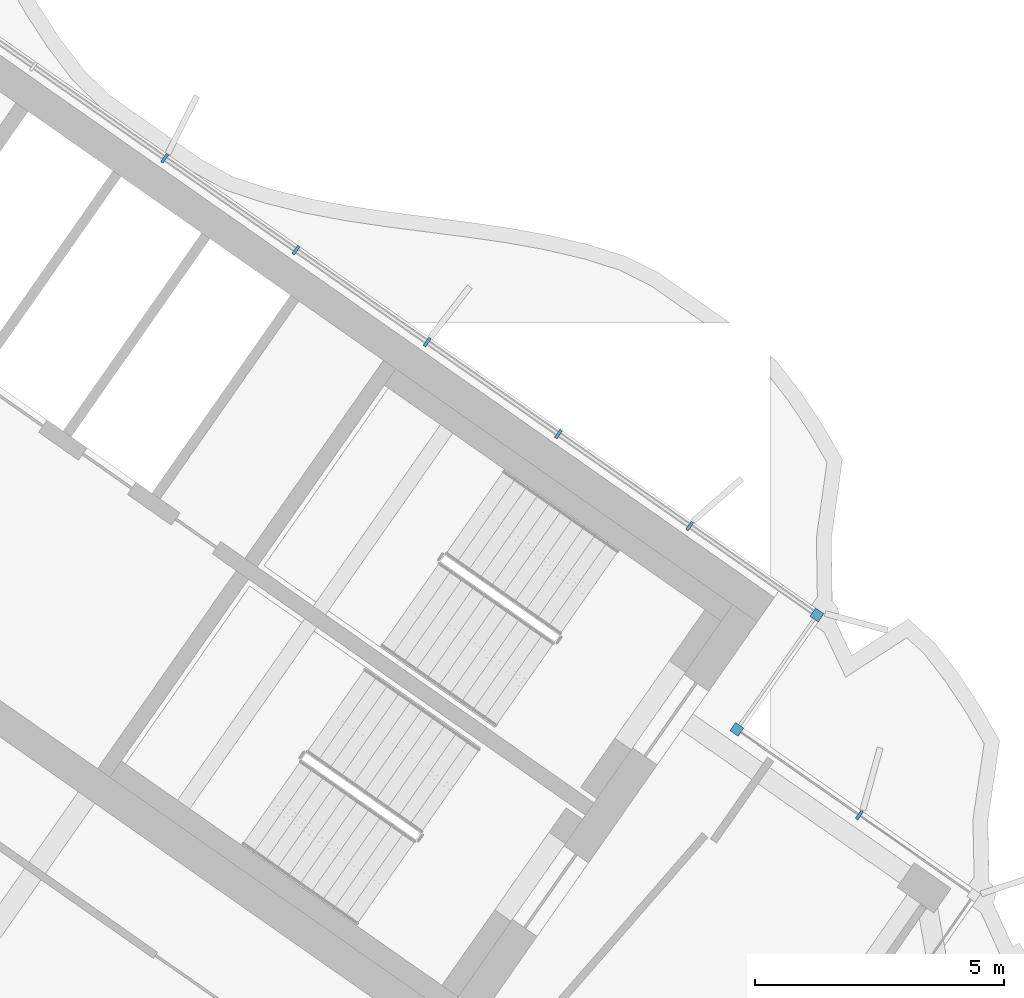
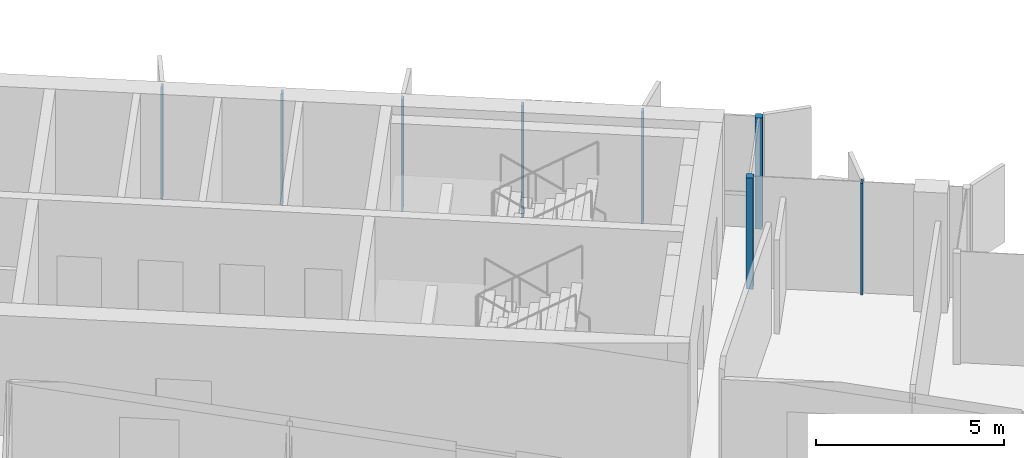
# One storey, part 6 of 20: 8 members, 2 elements without a shape of their own.
"""IFC4 building model written with IfcOpenShell, lengths in metres."""

import ifcopenshell
import ifcopenshell.guid

model = None  # the IFC model being written
_history = None  # IfcOwnerHistory: only IFC2X3 demands one
_inside = {}  # id of a spatial element -> (the spatial element, [elements in it])
_under = {}  # id of a project, library or spatial element -> (it, [spatial elements below it])
_declared = {}  # id of a project -> (the project, [libraries it declares])
_typed = {}  # id of a type object -> (the type object, [elements of that type])
_made_of = {}  # id of a material, layer set ... -> (it, [elements and type objects made of it])


def new_model(schema):
    """Start an empty IFC model of exactly this schema.

    Asked for "IFC4X3", IfcOpenShell would pick the latest addendum, in which some entities
    have other attributes; the version numbers below select the first issue.
    IFC2X3 requires an IfcOwnerHistory on every rooted entity: one is made here for all.
    """
    global model, _history
    if schema == "IFC4X3":
        model = ifcopenshell.file(schema_version=(4, 3, 0, 0))
    else:
        model = ifcopenshell.file(schema=schema)
    _inside.clear()
    _under.clear()
    _declared.clear()
    _typed.clear()
    _made_of.clear()
    _history = None
    if model.schema == "IFC2X3":
        org = make("IfcOrganization", Name="unknown")
        user = make(
            "IfcPersonAndOrganization",
            ThePerson=make("IfcPerson", FamilyName="unknown"),
            TheOrganization=org,
        )
        app = make(
            "IfcApplication",
            ApplicationDeveloper=org,
            Version="unknown",
            ApplicationFullName="unknown",
            ApplicationIdentifier="unknown",
        )
        _history = make(
            "IfcOwnerHistory",
            OwningUser=user,
            OwningApplication=app,
            ChangeAction="ADDED",
            CreationDate=0,
        )
    return model


def make(cls, **values):
    """One entity of the class cls with the attributes given. An attribute that is None is left unset."""
    return model.create_entity(
        cls, **{name: value for name, value in values.items() if value is not None}
    )


def rooted(cls, **values):
    """An entity with a GlobalId (a new one), such as an element, a storey or a relation."""
    return make(cls, GlobalId=ifcopenshell.guid.new(), OwnerHistory=_history, **values)


def si_unit(unit_type, name, prefix=None):
    """IfcSIUnit, for example si_unit("LENGTHUNIT", "METRE", prefix="MILLI")."""
    return make("IfcSIUnit", UnitType=unit_type, Prefix=prefix, Name=name)


def assignment(units):
    """IfcUnitAssignment: the units of a project."""
    return None if units is None else make("IfcUnitAssignment", Units=units)


def point(xyz):
    """IfcCartesianPoint."""
    return None if xyz is None else make("IfcCartesianPoint", Coordinates=xyz)


def direction(xyz):
    """IfcDirection."""
    return None if xyz is None else make("IfcDirection", DirectionRatios=xyz)


def frame(location, z_axis=None, x_axis=None):
    """IfcAxis2Placement3D, a coordinate frame: its origin and axes. An axis left out is left unset."""
    return make(
        "IfcAxis2Placement3D",
        Location=point(location),
        Axis=direction(z_axis),
        RefDirection=direction(x_axis),
    )


def frame_2d(location, x_axis=None):
    """IfcAxis2Placement2D, a coordinate frame in the plane: its origin and x axis."""
    return make(
        "IfcAxis2Placement2D", Location=point(location), RefDirection=direction(x_axis)
    )


def origin():
    """The frame at (0, 0, 0) with its axes left unset."""
    return frame((0.0, 0.0, 0.0))


def origin_2d():
    """The frame at (0, 0) in the plane with its x axis left unset."""
    return frame_2d((0.0, 0.0))


def place(relative_to, where):
    """IfcLocalPlacement: puts the frame where relative to a parent placement (None: the world)."""
    return make(
        "IfcLocalPlacement", PlacementRelTo=relative_to, RelativePlacement=where
    )


def context(
    kind, dimensions, precision=None, world=None, true_north=None, identifier=None
):
    """IfcGeometricRepresentationContext, for example the 3D "Model" context."""
    return make(
        "IfcGeometricRepresentationContext",
        ContextIdentifier=identifier,
        ContextType=kind,
        CoordinateSpaceDimension=dimensions,
        Precision=precision,
        WorldCoordinateSystem=world,
        TrueNorth=true_north,
    )


def subcontext(parent, identifier, kind, view, scale=None):
    """IfcGeometricRepresentationSubContext, for example "Body" below "Model"."""
    return make(
        "IfcGeometricRepresentationSubContext",
        ContextIdentifier=identifier,
        ContextType=kind,
        ParentContext=parent,
        TargetScale=scale,
        TargetView=view,
    )


def project(units=None, contexts=None):
    """IfcProject with its units and contexts."""
    return rooted(
        "IfcProject",
        Name="project",
        RepresentationContexts=contexts,
        UnitsInContext=assignment(units),
    )


def spatial(cls, under=None, at=None, **own):
    """A site, building, storey or space (cls), placed at a placement, below another one or the project."""
    s = rooted(cls, ObjectPlacement=at, **own)
    if under is not None:
        _under.setdefault(under.id(), (under, []))[1].append(s)
    return s


def profile(cls, at=None, kind="AREA", **sizes):
    """A parametric profile (cls). Its sizes go by their IFC names, for example OverallWidth=200.0."""
    return make(cls, ProfileType=kind, Position=at, **sizes)


def rectangle(**sizes):
    """IfcRectangleProfileDef."""
    return profile("IfcRectangleProfileDef", **sizes)


def extrude(swept, where, along, depth):
    """IfcExtrudedAreaSolid: the profile swept, set in the frame where, extruded along a direction by depth."""
    return make(
        "IfcExtrudedAreaSolid",
        SweptArea=swept,
        Position=where,
        ExtrudedDirection=direction(along),
        Depth=depth,
    )


def shape(context_of_items, identifier, shape_type, items):
    """IfcShapeRepresentation: the items that make up one representation, for example the "Body"."""
    return make(
        "IfcShapeRepresentation",
        ContextOfItems=context_of_items,
        RepresentationIdentifier=identifier,
        RepresentationType=shape_type,
        Items=items,
    )


def material(Name=None, Category=None):
    """IfcMaterial."""
    return make("IfcMaterial", Name=Name, Category=Category)


def material_profile(
    of_material, cross_section, Name=None, Category=None, Priority=None
):
    """IfcMaterialProfile: a cross section and its material."""
    return make(
        "IfcMaterialProfile",
        Name=Name,
        Material=of_material,
        Profile=cross_section,
        Priority=Priority,
        Category=Category,
    )


def profile_set(profiles, Name=None, composite=None):
    """IfcMaterialProfileSet."""
    return make(
        "IfcMaterialProfileSet",
        Name=Name,
        MaterialProfiles=profiles,
        CompositeProfile=composite,
    )


def made_of(thing, what):
    """Note that an element or type object is made of a material, layer set ...; save() writes the relation."""
    if what is not None:
        _made_of.setdefault(what.id(), (what, []))[1].append(thing)
    return thing


def type_object(cls, material=None, **own):
    """A type object (cls), such as IfcWallType, which elements share."""
    return made_of(rooted(cls, **own), material)


def element(
    cls,
    number,
    at=None,
    inside=None,
    cuts=None,
    type_object=None,
    material=None,
    context=None,
    identifier="Body",
    shape_type=None,
    held_by="IfcProductDefinitionShape",
    body=None,
    shapes=None,
    **own,
):
    """One element of the class cls, such as IfcWall. Its Tag is "e" and its number.

    at: its placement. inside: the storey or other place that contains it. cuts: it is an
    opening in that element (IfcRelVoidsElement). A single representation is given by context,
    identifier, shape_type and body (its items); several are given by shapes. held_by: the class
    of the entity that holds the representations. save() writes the other relations.
    """
    e = rooted(cls, Tag="e%d" % number, ObjectPlacement=at, **own)
    if body is not None:
        shapes = [shape(context, identifier, shape_type, body)]
    if shapes is not None:
        e.Representation = make(held_by, Representations=shapes)
    if inside is not None:
        _inside.setdefault(inside.id(), (inside, []))[1].append(e)
    if cuts is not None:
        rooted(
            "IfcRelVoidsElement", RelatingBuildingElement=cuts, RelatedOpeningElement=e
        )
    if type_object is not None:
        _typed.setdefault(type_object.id(), (type_object, []))[1].append(e)
    return made_of(e, material)


def aggregate(whole, parts):
    """IfcRelAggregates: a whole, such as a stair, and the parts it consists of."""
    return rooted("IfcRelAggregates", RelatingObject=whole, RelatedObjects=parts)


def save(model, path):
    """Write the relations noted so far, then the file.

    IfcRelAggregates (storeys below a building ...), IfcRelContainedInSpatialStructure (elements
    in a storey), IfcRelDefinesByType, IfcRelAssociatesMaterial and IfcRelDeclares: one each for
    every whole, place, type object, material and project.
    """
    for whole, parts in _under.values():
        aggregate(whole, parts)
    for where, things in _inside.values():
        rooted(
            "IfcRelContainedInSpatialStructure",
            RelatedElements=things,
            RelatingStructure=where,
        )
    for kind, things in _typed.values():
        rooted("IfcRelDefinesByType", RelatedObjects=things, RelatingType=kind)
    for what, things in _made_of.values():
        rooted("IfcRelAssociatesMaterial", RelatedObjects=things, RelatingMaterial=what)
    for by, libraries in _declared.values():
        rooted("IfcRelDeclares", RelatingContext=by, RelatedDefinitions=libraries)
    model.write(path)


model = new_model("IFC4")

# Units and contexts
model_context = context("Model", 3, precision=1e-05, world=origin(), true_north=direction((0.0, 1.0)))
body_context = subcontext(model_context, "Body", "Model", "MODEL_VIEW")
ifc_project = project(units=[si_unit("LENGTHUNIT", "METRE"), si_unit("AREAUNIT", "SQUARE_METRE"), si_unit("VOLUMEUNIT", "CUBIC_METRE"), si_unit("PLANEANGLEUNIT", "RADIAN"), si_unit("MASSUNIT", "GRAM", prefix="KILO")], contexts=[model_context])

# Site, building, storey
site_placement = place(None, origin())
site = spatial("IfcSite", under=ifc_project, at=site_placement, CompositionType="ELEMENT")
building_placement = place(site_placement, origin())
building = spatial("IfcBuilding", under=site, at=building_placement, Name="Tel Ilan Convention Tower", CompositionType="ELEMENT")
storey_placement = place(building_placement, frame((0.0, 0.0, 233.199951171875)))
storey = spatial("IfcBuildingStorey", under=building, at=storey_placement, Name="L54", CompositionType="ELEMENT", Elevation=233.199951171875)

# Curtain wall, members
ifc_material_1 = material(Name="Aluminium, bronze anodised", Category="aluminium")
curtain_wall_type_1 = type_object("IfcCurtainWallType", Name="CW2 STICK CURTAIN WALL, SPANDREL PANELS", PredefinedType="NOTDEFINED", material=ifc_material_1)
curtain_wall_1_placement = place(storey_placement, origin())
curtain_wall_1 = element("IfcCurtainWall", 1, at=curtain_wall_1_placement, inside=storey, type_object=curtain_wall_type_1, Name="Curtain wall CW2-42.01", PredefinedType="NOTDEFINED")
ifc_material_2 = material(Name="Aluminium, bronze anodised", Category="aluminium")
ifc_material_profile_1 = material_profile(ifc_material_2, rectangle(XDim=0.199951171875, YDim=0.199951171875, at=origin_2d()), Name="CW CORNER MULLION 200x200")
ifc_profile_set_1 = profile_set([ifc_material_profile_1], Name="Aluminium, bronze anodised")
member_type_1 = type_object("IfcMemberType", Name="CW CORNER MULLION 200x200", PredefinedType="MULLION", material=ifc_profile_set_1)
member_1_placement = place(storey_placement, frame((27.213623046875, -9.77734375, 0.0), z_axis=(0.0, 0.0, 1.0), x_axis=(-0.819152044289, 0.573576436351, 0.0)))
member_1 = element("IfcMember", 2, at=member_1_placement, type_object=member_type_1, Name="Corner mullion", PredefinedType="MULLION", context=body_context, shape_type="SweptSolid", body=[
    extrude(rectangle(XDim=0.199951171875, YDim=0.199951171875, at=origin_2d()), origin(), (0.0, 0.0, 1.0), 3.6201171875),
])
member_2_placement = place(storey_placement, frame((28.819580078125, -7.483642578125, 0.0), z_axis=(0.0, 0.0, 1.0), x_axis=(0.573576436351, 0.819152044289, 0.0)))
member_2 = element("IfcMember", 3, at=member_2_placement, type_object=member_type_1, Name="Corner mullion", PredefinedType="MULLION", context=body_context, shape_type="SweptSolid", body=[
    extrude(rectangle(XDim=0.199951171875, YDim=0.199951171875, at=origin_2d()), origin(), (0.0, 0.0, 1.0), 3.6201171875),
])
ifc_material_3 = material(Name="Aluminium, bronze anodised", Category="aluminium")
ifc_material_profile_2 = material_profile(ifc_material_3, rectangle(XDim=0.06005859375, YDim=0.199951171875, at=origin_2d()), Name="CW MULLION 60x200")
ifc_profile_set_2 = profile_set([ifc_material_profile_2], Name="Aluminium, bronze anodised")
member_type_2 = type_object("IfcMemberType", Name="CW MULLION 60x200", PredefinedType="MULLION", material=ifc_profile_set_2)
member_3_placement = place(storey_placement, frame((26.268798828125, -5.697509765625, 0.0), z_axis=(0.0, 0.0, 1.0), x_axis=(-0.819152044289, 0.573576436351, 0.0)))
member_3 = element("IfcMember", 4, at=member_3_placement, type_object=member_type_2, Name="Mullion", PredefinedType="MULLION", context=body_context, shape_type="SweptSolid", body=[
    extrude(rectangle(XDim=0.06005859375, YDim=0.199951171875, at=origin_2d()), origin(), (0.0, 0.0, 1.0), 3.6201171875),
])
member_4_placement = place(storey_placement, frame((23.63623046875, -3.854248046875, 0.0), z_axis=(0.0, 0.0, 1.0), x_axis=(-0.819152044289, 0.573576436351, 0.0)))
member_4 = element("IfcMember", 5, at=member_4_placement, type_object=member_type_2, Name="Mullion", PredefinedType="MULLION", context=body_context, shape_type="SweptSolid", body=[
    extrude(rectangle(XDim=0.06005859375, YDim=0.199951171875, at=origin_2d()), origin(), (0.0, 0.0, 1.0), 3.6201171875),
])
member_5_placement = place(storey_placement, frame((21.003662109375, -2.0107421875, 0.0), z_axis=(0.0, 0.0, 1.0), x_axis=(-0.819152044289, 0.573576436351, 0.0)))
member_5 = element("IfcMember", 6, at=member_5_placement, type_object=member_type_2, Name="Mullion", PredefinedType="MULLION", context=body_context, shape_type="SweptSolid", body=[
    extrude(rectangle(XDim=0.06005859375, YDim=0.199951171875, at=origin_2d()), origin(), (0.0, 0.0, 1.0), 3.6201171875),
])
member_6_placement = place(storey_placement, frame((18.37109375, -0.16748046875, 0.0), z_axis=(0.0, 0.0, 1.0), x_axis=(-0.819152044289, 0.573576436351, 0.0)))
member_6 = element("IfcMember", 7, at=member_6_placement, type_object=member_type_2, Name="Mullion", PredefinedType="MULLION", context=body_context, shape_type="SweptSolid", body=[
    extrude(rectangle(XDim=0.06005859375, YDim=0.199951171875, at=origin_2d()), origin(), (0.0, 0.0, 1.0), 3.6201171875),
])
member_7_placement = place(storey_placement, frame((15.73828125, 1.676025390625, 0.0), z_axis=(0.0, 0.0, 1.0), x_axis=(-0.819152044289, 0.573576436351, 0.0)))
member_7 = element("IfcMember", 8, at=member_7_placement, type_object=member_type_2, Name="Mullion", PredefinedType="MULLION", context=body_context, shape_type="SweptSolid", body=[
    extrude(rectangle(XDim=0.06005859375, YDim=0.199951171875, at=origin_2d()), origin(), (0.0, 0.0, 1.0), 3.6201171875),
])
aggregate(curtain_wall_1, [member_1, member_2, member_3, member_4, member_5, member_6, member_7])

# Curtain wall, member
ifc_material_4 = material(Name="Aluminium, bronze anodised", Category="aluminium")
curtain_wall_type_2 = type_object("IfcCurtainWallType", Name="CW5 STICK CURTAIN WALL, UPPER OFFICE LOW-IRON TINTED GLASS", PredefinedType="NOTDEFINED", material=ifc_material_4)
curtain_wall_2_placement = place(storey_placement, origin())
curtain_wall_2 = element("IfcCurtainWall", 9, at=curtain_wall_2_placement, inside=storey, type_object=curtain_wall_type_2, Name="Curtain wall CW5-42.02", PredefinedType="NOTDEFINED")
member_8_placement = place(storey_placement, frame((29.6708984375, -11.498046875, 0.0), z_axis=(0.0, 0.0, 1.0), x_axis=(-0.819152044289, 0.573576436351, 0.0)))
member_8 = element("IfcMember", 10, at=member_8_placement, type_object=member_type_2, Name="Mullion", PredefinedType="MULLION", context=body_context, shape_type="SweptSolid", body=[
    extrude(rectangle(XDim=0.06005859375, YDim=0.199951171875, at=origin_2d()), origin(), (0.0, 0.0, 1.0), 3.6201171875),
])
aggregate(curtain_wall_2, [member_8])

save(model, "model.ifc")
